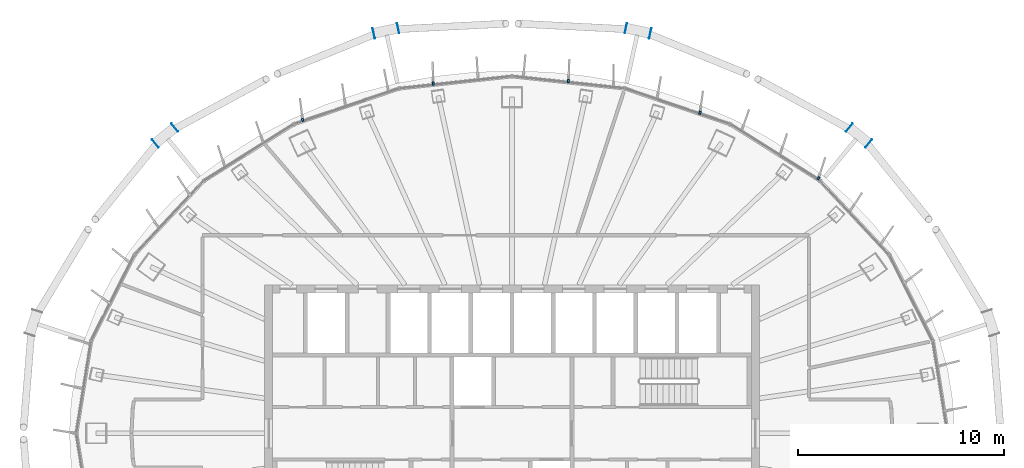
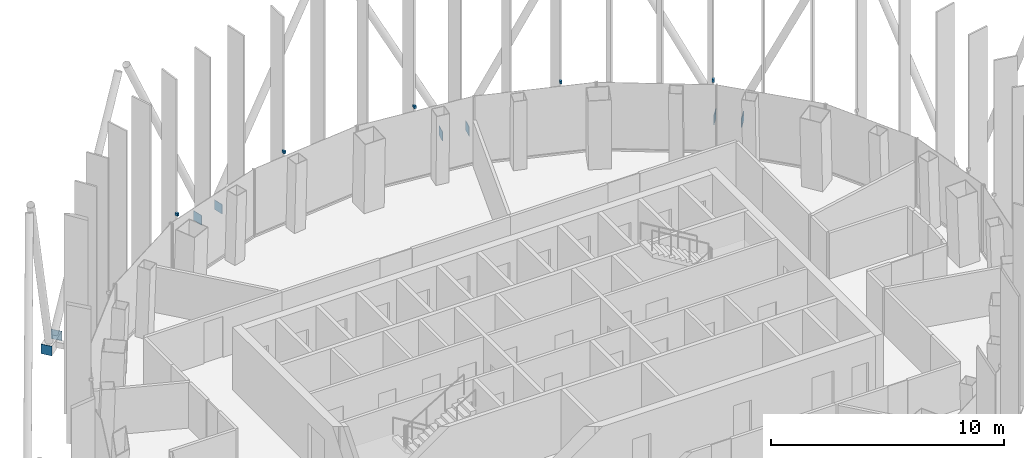
# One storey, part 15 of 19: 13 discrete accessories.
"""IFC4 building model written with IfcOpenShell, lengths in metres."""

from ifc_helpers import new_model, si_unit, direction, frame, origin, origin_2d, place, context, subcontext, project, spatial, rectangle, extrude, material, layer, layer_set, type_object, element, save


model = new_model("IFC4")

# Units and contexts
model_context = context("Model", 3, precision=1e-05, world=origin(), true_north=direction((0.0, 1.0)))
body_context = subcontext(model_context, "Body", "Model", "MODEL_VIEW")
ifc_project = project(units=[si_unit("LENGTHUNIT", "METRE"), si_unit("AREAUNIT", "SQUARE_METRE"), si_unit("VOLUMEUNIT", "CUBIC_METRE"), si_unit("PLANEANGLEUNIT", "RADIAN"), si_unit("MASSUNIT", "GRAM", prefix="KILO")], contexts=[model_context])

# Site, building, storey
site_placement = place(None, origin())
site = spatial("IfcSite", under=ifc_project, at=site_placement, CompositionType="ELEMENT")
building_placement = place(site_placement, origin())
building = spatial("IfcBuilding", under=site, at=building_placement, Name="Siaravel Broadcast Tower", CompositionType="ELEMENT")
storey_placement = place(building_placement, frame((0.0, 0.0, 239.300048828125)))
storey = spatial("IfcBuildingStorey", under=building, at=storey_placement, Name="L58", CompositionType="ELEMENT", Elevation=239.300048828125)

# Discrete accessories
ifc_material_1 = material(Name="Stainless steel 316", Category="steel")
discrete_accessory_type_1 = type_object("IfcDiscreteAccessoryType", Name="Stainless steel fin bracket", PredefinedType="USERDEFINED", material=ifc_material_1)
for number, where, z_axis, x_axis, name in (
    (1, (14.849365234375, 12.362060546875, 3.6748046875), (0.0, 0.0, 1.0), (0.53215093, 0.846649507, 0.0), "Fin bracket L58-07"),
    (2, (9.10888671875, 15.544189453125, 3.6748046875), (0.0, 0.0, 1.0), (0.321302287, 0.946976684, 0.0), "Fin bracket L58-10"),
    (3, (2.733154296875, 17.072509765625, 3.6748046875), (0.0, 0.0, 1.0), (0.107218518, 0.99423548, 0.0), "Fin bracket L58-13"),
    (4, (-3.82373046875, 16.954833984375, 3.6748046875), (0.0, 0.0, 1.0), (-0.107218518, 0.99423548, 0.0), "Fin bracket L58-16"),
    (5, (-10.147705078125, 15.19189453125, 3.6748046875), (0.0, 0.0, 1.0), (-0.321302287, 0.946976684, 0.0), "Fin bracket L58-19"),
):
    element("IfcDiscreteAccessory", number, at=place(storey_placement, frame(where, z_axis=z_axis, x_axis=x_axis)), inside=storey, type_object=discrete_accessory_type_1, Name=name, ObjectType="BRACKET", PredefinedType="USERDEFINED", context=body_context, shape_type="SweptSolid", body=[
        extrude(rectangle(XDim=0.159912109375, YDim=0.10009765625, at=origin_2d()), origin(), (0.0, 0.0, 1.0), 0.139892578125),
    ])
ifc_material_2 = material(Name="Steel S355", Category="steel")
ifc_layer = layer(ifc_material_2, 0.02001953125)
ifc_layer_set = layer_set([ifc_layer], Name="Steel S355")
discrete_accessory_type_2 = type_object("IfcDiscreteAccessoryType", Name="Steel end plate 20 mm", PredefinedType="USERDEFINED", material=ifc_layer_set)
for number, where, z_axis, x_axis, name in (
    (6, (16.349609375, 14.818603515625, -0.449951171875), (0.0, 0.0, 1.0), (-0.773604694, 0.633668508, 0.0), "End plate R24 station 09A"),
    (7, (17.283203125, 14.05419921875, -0.449951171875), (0.0, 0.0, 1.0), (-0.773604694, 0.633668508, 0.0), "End plate R24 station 09B"),
    (8, (5.520263671875, 19.641845703125, -0.449951171875), (0.0, 0.0, 1.0), (-0.976750917, 0.214377344, 0.0), "End plate R24 station 15A"),
    (9, (6.698974609375, 19.383056640625, -0.449951171875), (0.0, 0.0, 1.0), (-0.976750917, 0.214377344, 0.0), "End plate R24 station 15B"),
    (10, (-6.698974609375, 19.383056640625, -0.449951171875), (0.0, 0.0, 1.0), (-0.976750917, -0.214377344, 0.0), "End plate R24 station 21A"),
    (11, (-5.520263671875, 19.641845703125, -0.449951171875), (0.0, 0.0, 1.0), (-0.976750917, -0.214377344, 0.0), "End plate R24 station 21B"),
    (12, (-17.283203125, 14.05419921875, -0.449951171875), (0.0, 0.0, 1.0), (-0.773604694, -0.633668508, 0.0), "End plate R24 station 27A"),
    (13, (-16.349609375, 14.818603515625, -0.449951171875), (0.0, 0.0, 1.0), (-0.773604694, -0.633668508, 0.0), "End plate R24 station 27B"),
):
    element("IfcDiscreteAccessory", number, at=place(storey_placement, frame(where, z_axis=z_axis, x_axis=x_axis)), inside=storey, type_object=discrete_accessory_type_2, Name=name, ObjectType="END PLATE", PredefinedType="USERDEFINED", context=body_context, shape_type="SweptSolid", body=[
        extrude(rectangle(XDim=0.02001953125, YDim=0.5, at=origin_2d()), origin(), (0.0, 0.0, 1.0), 0.5),
    ])

save(model, "model.ifc")
